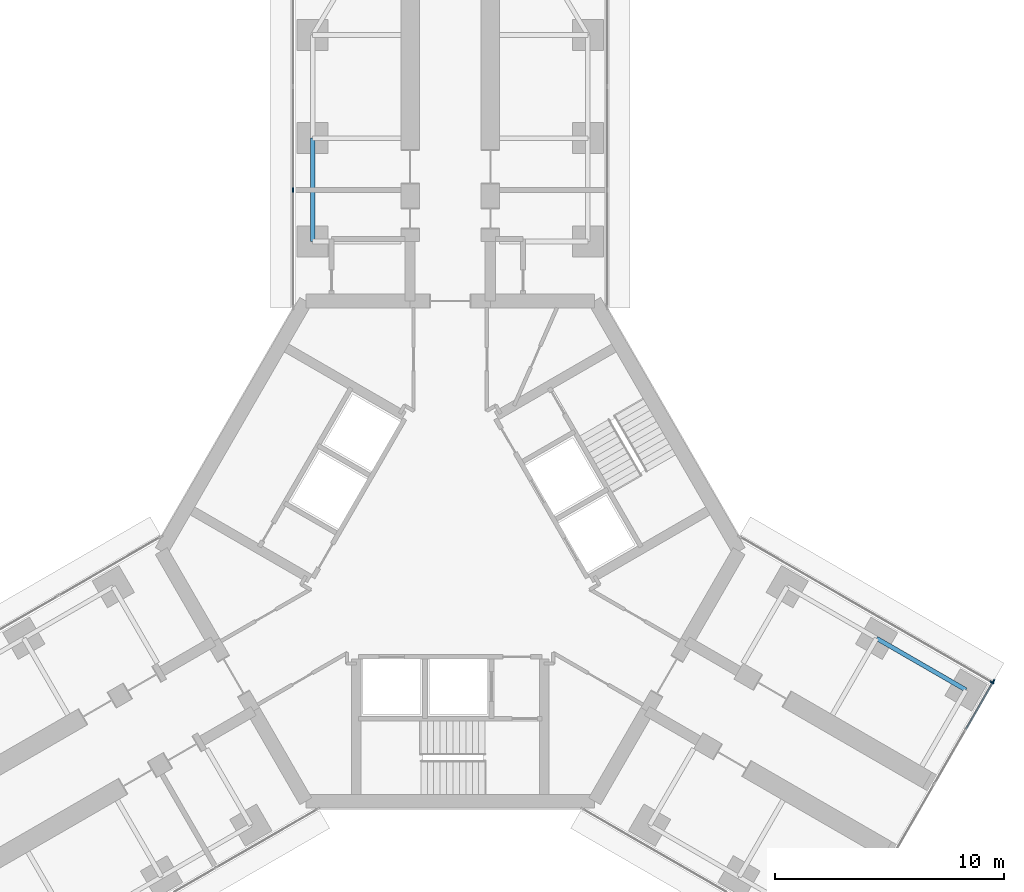
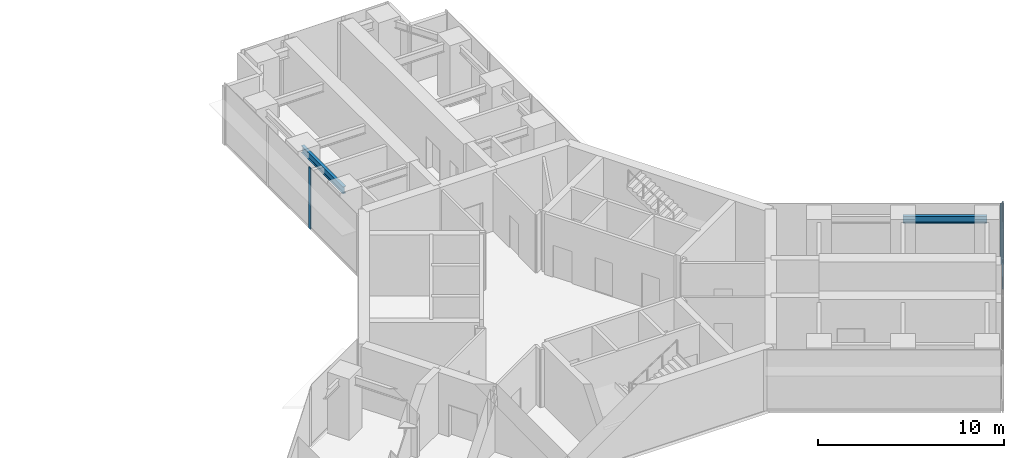
# One storey, part 11 of 21: 4 members, 2 beams, 3 elements without a shape of their own.
"""IFC4 building model written with IfcOpenShell, lengths in metres."""

from ifc_helpers import new_model, si_unit, direction, frame, origin, origin_2d, place, context, subcontext, project, spatial, rectangle, i_section, extrude, material, material_profile, profile_set, type_object, element, aggregate, save


model = new_model("IFC4")

# Units and contexts
model_context = context("Model", 3, precision=1e-05, world=origin(), true_north=direction((0.0, 1.0)))
body_context = subcontext(model_context, "Body", "Model", "MODEL_VIEW")
ifc_project = project(units=[si_unit("LENGTHUNIT", "METRE"), si_unit("AREAUNIT", "SQUARE_METRE"), si_unit("VOLUMEUNIT", "CUBIC_METRE"), si_unit("PLANEANGLEUNIT", "RADIAN"), si_unit("MASSUNIT", "GRAM", prefix="KILO")], contexts=[model_context])

# Site, building, storey
site_placement = place(None, origin())
site = spatial("IfcSite", under=ifc_project, at=site_placement, CompositionType="ELEMENT")
building_placement = place(site_placement, origin())
building = spatial("IfcBuilding", under=site, at=building_placement, Name="Upepo Twin Towers", CompositionType="ELEMENT")
storey_placement = place(building_placement, frame((0.0, 0.0, 105.5)))
storey = spatial("IfcBuildingStorey", under=building, at=storey_placement, Name="L25", CompositionType="ELEMENT", Elevation=105.5)

# Beams
ifc_material_1 = material(Name="Steel S355", Category="steel")
ifc_material_profile_1 = material_profile(ifc_material_1, i_section(OverallWidth=0.1904296875, OverallDepth=0.45703125, WebThickness=0.009033203125, FlangeThickness=0.014404296875, FilletRadius=0.01025390625, at=origin_2d()), Name="UB 457x191x74")
ifc_profile_set_1 = profile_set([ifc_material_profile_1], Name="Steel S355")
beam_type = type_object("IfcBeamType", Name="Beam UB 457x191x74", PredefinedType="BEAM", material=ifc_profile_set_1)
for number, where, z_axis, x_axis, name in (
    (1, (52.5, -4.5, 3.571533203125), (0.0, 1.0, 0.0), (-1.0, 0.0, 0.0), "T2 edge beam AL 13.5-18.0"),
    (2, (77.08837890625, -21.803955078125, 3.571533203125), (0.866031096941, -0.499990139034, 0.0), (0.499990139034, 0.866031096941, 0.0), "T2 edge beam CL 18.0-22.5"),
):
    element("IfcBeam", number, at=place(storey_placement, frame(where, z_axis=z_axis, x_axis=x_axis)), inside=storey, type_object=beam_type, Name=name, PredefinedType="BEAM", context=body_context, shape_type="SweptSolid", body=[
        extrude(i_section(OverallWidth=0.1904296875, OverallDepth=0.45703125, WebThickness=0.009033203125, FlangeThickness=0.014404296875, FilletRadius=0.01025390625, at=origin_2d()), origin(), (0.0, 0.0, 1.0), 4.5),
    ])

# Curtain wall, member
ifc_material_2 = material(Name="Aluminium and fritted glass", Category="aluminium")
curtain_wall_type = type_object("IfcCurtainWallType", Name="Tower curtain wall TW2, fritted glass", PredefinedType="NOTDEFINED", material=ifc_material_2)
curtain_wall_1_placement = place(storey_placement, origin())
curtain_wall_1 = element("IfcCurtainWall", 3, at=curtain_wall_1_placement, inside=storey, type_object=curtain_wall_type, Name="T2 L25 wing A flank L curtain wall", PredefinedType="NOTDEFINED")
ifc_material_3 = material(Name="Aluminium mullion", Category="aluminium")
ifc_material_profile_2 = material_profile(ifc_material_3, rectangle(XDim=0.06494140625, YDim=0.199951171875, at=origin_2d()), Name="MULLION 65x200")
ifc_profile_set_2 = profile_set([ifc_material_profile_2], Name="Aluminium mullion")
member_type_1 = type_object("IfcMemberType", Name="Mullion 65x200 TW2", PredefinedType="MULLION", material=ifc_profile_set_2)
member_1_placement = place(storey_placement, frame((51.64990234375, -2.25, 0.0), z_axis=(0.0, 0.0, 1.0), x_axis=(-1.0, 0.0, 0.0)))
member_1 = element("IfcMember", 4, at=member_1_placement, type_object=member_type_1, Name="T2 L25 wing A flank L curtain wall mullion 2", PredefinedType="MULLION", context=body_context, shape_type="SweptSolid", body=[
    extrude(rectangle(XDim=0.06494140625, YDim=0.199951171875, at=origin_2d()), origin(), (0.0, 0.0, 1.0), 4.0),
])
aggregate(curtain_wall_1, [member_1])

curtain_wall_2_placement = place(storey_placement, origin())
curtain_wall_2 = element("IfcCurtainWall", 5, at=curtain_wall_2_placement, inside=storey, type_object=curtain_wall_type, Name="T2 L25 wing C flank L curtain wall", PredefinedType="NOTDEFINED")
member_2_placement = place(storey_placement, frame((82.11865234375, -23.7265625, 0.0), z_axis=(0.0, 0.0, 1.0), x_axis=(0.50000000792, 0.866025399212, 0.0)))
member_2 = element("IfcMember", 6, at=member_2_placement, type_object=member_type_1, Name="T2 L25 wing C flank L curtain wall mullion 2", PredefinedType="MULLION", context=body_context, shape_type="SweptSolid", body=[
    extrude(rectangle(XDim=0.06494140625, YDim=0.199951171875, at=origin_2d()), origin(), (0.0, 0.0, 1.0), 4.0),
])
aggregate(curtain_wall_2, [member_2])

# Curtain wall, members
curtain_wall_3_placement = place(storey_placement, origin())
curtain_wall_3 = element("IfcCurtainWall", 7, at=curtain_wall_3_placement, inside=storey, type_object=curtain_wall_type, Name="T2 L25 wing C nose curtain wall", PredefinedType="NOTDEFINED")
member_3_placement = place(storey_placement, frame((82.180419921875, -23.684326171875, 0.0), z_axis=(0.0, 0.0, 1.0), x_axis=(-0.866025419745, 0.499999972355, 0.0)))
member_3 = element("IfcMember", 8, at=member_3_placement, type_object=member_type_1, Name="T2 L25 wing C nose curtain wall mullion 6", PredefinedType="MULLION", context=body_context, shape_type="SweptSolid", body=[
    extrude(rectangle(XDim=0.06494140625, YDim=0.199951171875, at=origin_2d()), origin(), (0.0, 0.0, 1.0), 4.0),
])
ifc_material_4 = material(Name="Aluminium transom", Category="aluminium")
ifc_material_profile_3 = material_profile(ifc_material_4, rectangle(XDim=0.06494140625, YDim=0.14990234375, at=origin_2d()), Name="TRANSOM 65x150")
ifc_profile_set_3 = profile_set([ifc_material_profile_3], Name="Aluminium transom")
member_type_2 = type_object("IfcMemberType", Name="Transom 65x150 TW2", PredefinedType="USERDEFINED", material=ifc_profile_set_3)
member_4_placement = place(storey_placement, frame((80.988037109375, -25.749755859375, 0.074951171875), z_axis=(0.50000093428, 0.866024864377, 0.0), x_axis=(-0.866024864377, 0.50000093428, 0.0)))
member_4 = element("IfcMember", 9, at=member_4_placement, type_object=member_type_2, Name="T2 L25 wing C nose curtain wall transom 5", ObjectType="TRANSOM", PredefinedType="USERDEFINED", context=body_context, shape_type="SweptSolid", body=[
    extrude(rectangle(XDim=0.06494140625, YDim=0.14990234375, at=origin_2d()), origin(), (0.0, 0.0, 1.0), 2.3525390625),
])
aggregate(curtain_wall_3, [member_3, member_4])

save(model, "model.ifc")
